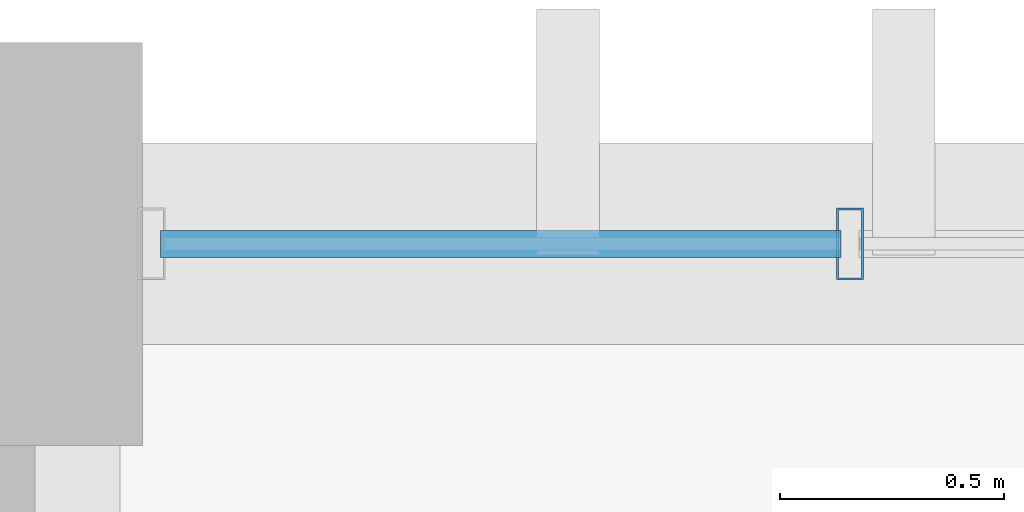
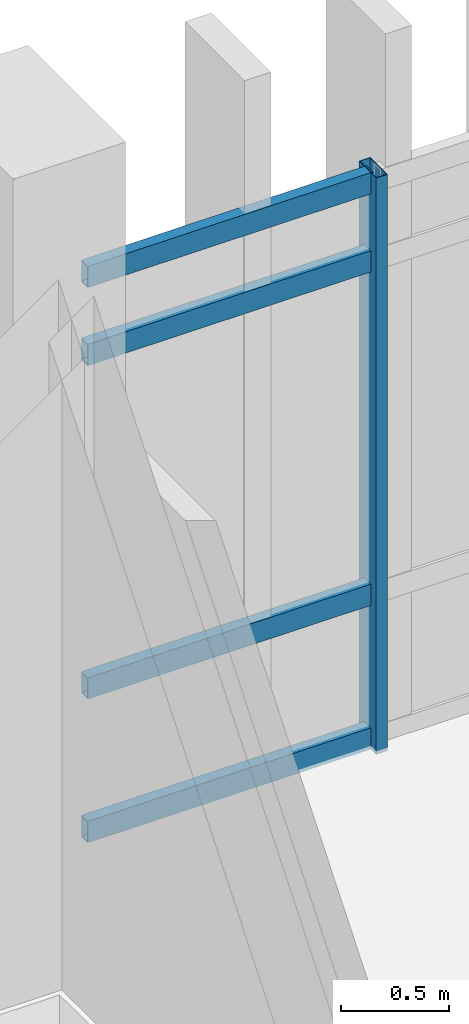
# One storey, part 55 of 111: 5 members, 1 element without a shape of its own.
"""IFC4 building model written with IfcOpenShell, lengths in metres."""

from ifc_helpers import new_model, si_unit, direction, frame, origin, origin_2d, place, context, subcontext, project, spatial, hollow_rectangle, extrude, material, layer, layer_set, material_profile, profile_set, type_object, element, aggregate, save


model = new_model("IFC4")

# Units and contexts
model_context = context("Model", 3, precision=1e-05, world=origin(), true_north=direction((0.0, 1.0)))
body_context = subcontext(model_context, "Body", "Model", "MODEL_VIEW")
ifc_project = project(units=[si_unit("LENGTHUNIT", "METRE"), si_unit("AREAUNIT", "SQUARE_METRE"), si_unit("VOLUMEUNIT", "CUBIC_METRE"), si_unit("PLANEANGLEUNIT", "RADIAN"), si_unit("MASSUNIT", "GRAM", prefix="KILO")], contexts=[model_context])

# Site, building, storey
site_placement = place(None, origin())
site = spatial("IfcSite", under=ifc_project, at=site_placement, CompositionType="ELEMENT")
building_placement = place(site_placement, origin())
building = spatial("IfcBuilding", under=site, at=building_placement, Name="Mersad Railyard Sports Hall", CompositionType="ELEMENT")
storey_placement = place(building_placement, frame((0.0, 0.0, 9.0)))
storey = spatial("IfcBuildingStorey", under=building, at=storey_placement, Name="L02", CompositionType="ELEMENT", Elevation=9.0)

# Curtain wall, members
ifc_material = material(Name="Aluminium 6063-T6", Category="aluminium")
ifc_layer = layer(ifc_material, 0.159912109375)
ifc_layer_set = layer_set([ifc_layer], Name="Aluminium 6063-T6")
curtain_wall_type = type_object("IfcCurtainWallType", Name="ARC-CW-CW53", PredefinedType="USERDEFINED", material=ifc_layer_set)
curtain_wall_placement = place(storey_placement, origin())
curtain_wall = element("IfcCurtainWall", 1, at=curtain_wall_placement, inside=storey, type_object=curtain_wall_type, Name="Curtain wall CW53-0141", ObjectType="CURTAIN WALL", PredefinedType="USERDEFINED")
ifc_material_profile_1 = material_profile(ifc_material, hollow_rectangle(XDim=0.06005859375, YDim=0.159912109375, WallThickness=0.00390625, at=origin_2d()), Name="AL MULLION 60x160x4")
ifc_profile_set_1 = profile_set([ifc_material_profile_1], Name="Aluminium 6063-T6")
member_type_1 = type_object("IfcMemberType", Name="ARC-CW-MUL01", PredefinedType="MULLION", material=ifc_profile_set_1)
member_1_placement = place(storey_placement, frame((102.8798828125, 115.0, -0.02001953125), z_axis=(0.0, 0.0, 1.0), x_axis=(1.0, 0.0, 0.0)))
member_1 = element("IfcMember", 2, at=member_1_placement, type_object=member_type_1, Name="CW53 Mullion 2", PredefinedType="MULLION", context=body_context, shape_type="SweptSolid", body=[
    extrude(hollow_rectangle(XDim=0.06005859375, YDim=0.159912109375, WallThickness=0.00390625, at=origin_2d()), origin(), (0.0, 0.0, 1.0), 3.25),
])
ifc_material_profile_2 = material_profile(ifc_material, hollow_rectangle(XDim=0.06005859375, YDim=0.1201171875, WallThickness=0.00390625, at=origin_2d()), Name="AL TRANSOM 60x120x4")
ifc_profile_set_2 = profile_set([ifc_material_profile_2], Name="Aluminium 6063-T6")
member_type_2 = type_object("IfcMemberType", Name="ARC-CW-TRN01", PredefinedType="USERDEFINED", material=ifc_profile_set_2)
member_2_placement = place(storey_placement, frame((101.340087890625, 115.0, 0.0400390625), z_axis=(1.0, 0.0, 0.0), x_axis=(0.0, 1.0, 0.0)))
member_2 = element("IfcMember", 3, at=member_2_placement, type_object=member_type_2, Name="CW53 Transom 1-1", ObjectType="TRANSOM", PredefinedType="USERDEFINED", context=body_context, shape_type="SweptSolid", body=[
    extrude(hollow_rectangle(XDim=0.06005859375, YDim=0.1201171875, WallThickness=0.00390625, at=origin_2d()), origin(), (0.0, 0.0, 1.0), 1.52001953125),
])
member_3_placement = place(storey_placement, frame((101.340087890625, 115.0, 0.85009765625), z_axis=(1.0, 0.0, 0.0), x_axis=(0.0, 1.0, 0.0)))
member_3 = element("IfcMember", 4, at=member_3_placement, type_object=member_type_2, Name="CW53 Transom 2-1", ObjectType="TRANSOM", PredefinedType="USERDEFINED", context=body_context, shape_type="SweptSolid", body=[
    extrude(hollow_rectangle(XDim=0.06005859375, YDim=0.1201171875, WallThickness=0.00390625, at=origin_2d()), origin(), (0.0, 0.0, 1.0), 1.52001953125),
])
member_4_placement = place(storey_placement, frame((101.340087890625, 115.0, 2.72998046875), z_axis=(1.0, 0.0, 0.0), x_axis=(0.0, 1.0, 0.0)))
member_4 = element("IfcMember", 5, at=member_4_placement, type_object=member_type_2, Name="CW53 Transom 3-1", ObjectType="TRANSOM", PredefinedType="USERDEFINED", context=body_context, shape_type="SweptSolid", body=[
    extrude(hollow_rectangle(XDim=0.06005859375, YDim=0.1201171875, WallThickness=0.00390625, at=origin_2d()), origin(), (0.0, 0.0, 1.0), 1.52001953125),
])
member_5_placement = place(storey_placement, frame((101.340087890625, 115.0, 3.169921875), z_axis=(1.0, 0.0, 0.0), x_axis=(0.0, 1.0, 0.0)))
member_5 = element("IfcMember", 6, at=member_5_placement, type_object=member_type_2, Name="CW53 Transom 4-1", ObjectType="TRANSOM", PredefinedType="USERDEFINED", context=body_context, shape_type="SweptSolid", body=[
    extrude(hollow_rectangle(XDim=0.06005859375, YDim=0.1201171875, WallThickness=0.00390625, at=origin_2d()), origin(), (0.0, 0.0, 1.0), 1.52001953125),
])
aggregate(curtain_wall, [member_1, member_2, member_3, member_4, member_5])

save(model, "model.ifc")
